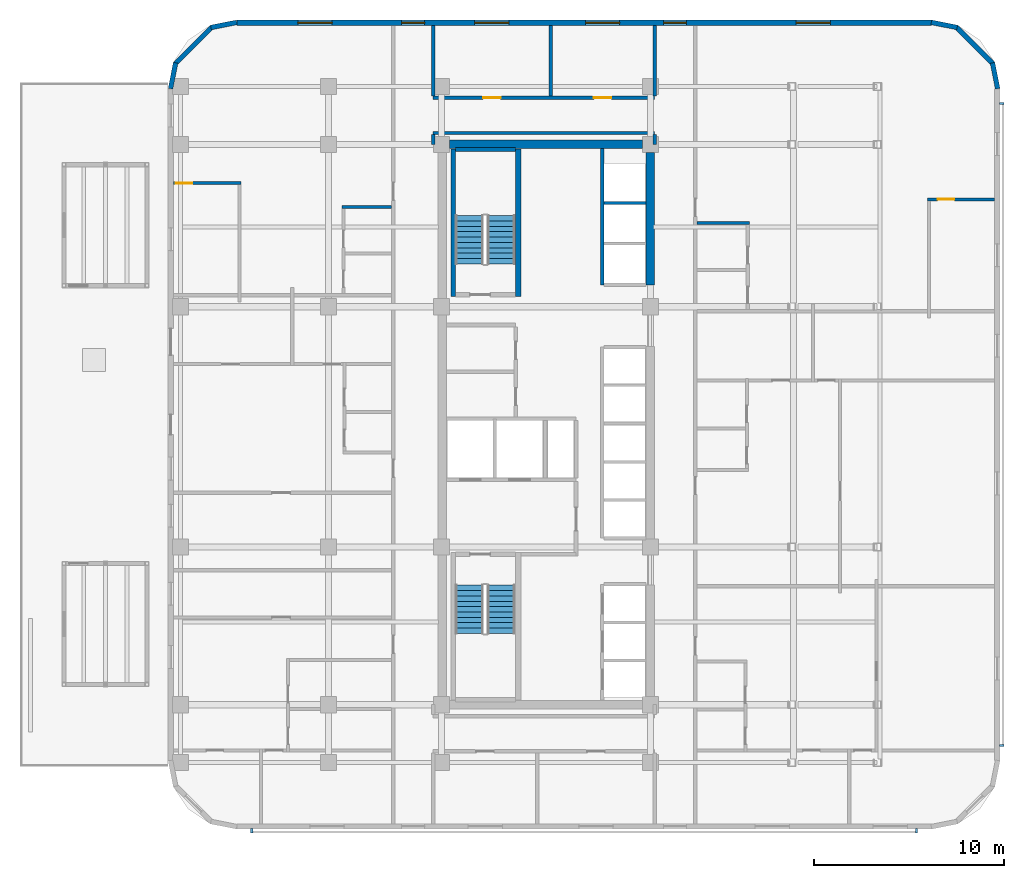
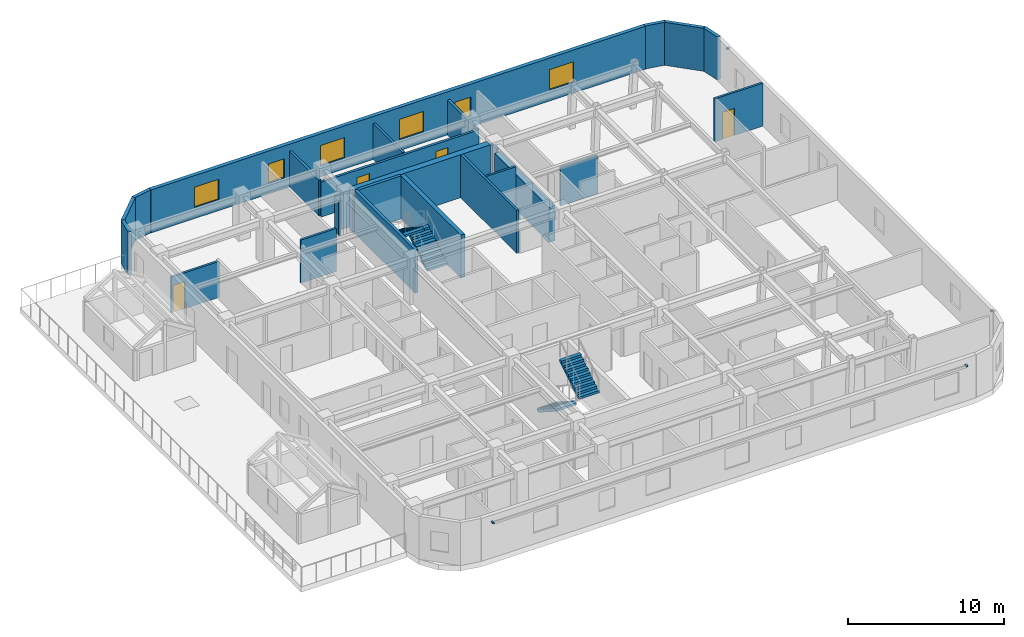
# One storey, part 14 of 19: 25 walls, 6 windows, 4 discrete accessories, 4 doors, 4 stair flights, 10 openings, 2 elements without a shape of their own.
"""IFC4 building model written with IfcOpenShell, lengths in metres."""

import ifcopenshell
import ifcopenshell.guid

model = None  # the IFC model being written
_history = None  # IfcOwnerHistory: only IFC2X3 demands one
_inside = {}  # id of a spatial element -> (the spatial element, [elements in it])
_under = {}  # id of a project, library or spatial element -> (it, [spatial elements below it])
_declared = {}  # id of a project -> (the project, [libraries it declares])
_typed = {}  # id of a type object -> (the type object, [elements of that type])
_made_of = {}  # id of a material, layer set ... -> (it, [elements and type objects made of it])


def new_model(schema):
    """Start an empty IFC model of exactly this schema.

    Asked for "IFC4X3", IfcOpenShell would pick the latest addendum, in which some entities
    have other attributes; the version numbers below select the first issue.
    IFC2X3 requires an IfcOwnerHistory on every rooted entity: one is made here for all.
    """
    global model, _history
    if schema == "IFC4X3":
        model = ifcopenshell.file(schema_version=(4, 3, 0, 0))
    else:
        model = ifcopenshell.file(schema=schema)
    _inside.clear()
    _under.clear()
    _declared.clear()
    _typed.clear()
    _made_of.clear()
    _history = None
    if model.schema == "IFC2X3":
        org = make("IfcOrganization", Name="unknown")
        user = make(
            "IfcPersonAndOrganization",
            ThePerson=make("IfcPerson", FamilyName="unknown"),
            TheOrganization=org,
        )
        app = make(
            "IfcApplication",
            ApplicationDeveloper=org,
            Version="unknown",
            ApplicationFullName="unknown",
            ApplicationIdentifier="unknown",
        )
        _history = make(
            "IfcOwnerHistory",
            OwningUser=user,
            OwningApplication=app,
            ChangeAction="ADDED",
            CreationDate=0,
        )
    return model


def make(cls, **values):
    """One entity of the class cls with the attributes given. An attribute that is None is left unset."""
    return model.create_entity(
        cls, **{name: value for name, value in values.items() if value is not None}
    )


def rooted(cls, **values):
    """An entity with a GlobalId (a new one), such as an element, a storey or a relation."""
    return make(cls, GlobalId=ifcopenshell.guid.new(), OwnerHistory=_history, **values)


def si_unit(unit_type, name, prefix=None):
    """IfcSIUnit, for example si_unit("LENGTHUNIT", "METRE", prefix="MILLI")."""
    return make("IfcSIUnit", UnitType=unit_type, Prefix=prefix, Name=name)


def assignment(units):
    """IfcUnitAssignment: the units of a project."""
    return None if units is None else make("IfcUnitAssignment", Units=units)


def point(xyz):
    """IfcCartesianPoint."""
    return None if xyz is None else make("IfcCartesianPoint", Coordinates=xyz)


def direction(xyz):
    """IfcDirection."""
    return None if xyz is None else make("IfcDirection", DirectionRatios=xyz)


def frame(location, z_axis=None, x_axis=None):
    """IfcAxis2Placement3D, a coordinate frame: its origin and axes. An axis left out is left unset."""
    return make(
        "IfcAxis2Placement3D",
        Location=point(location),
        Axis=direction(z_axis),
        RefDirection=direction(x_axis),
    )


def frame_2d(location, x_axis=None):
    """IfcAxis2Placement2D, a coordinate frame in the plane: its origin and x axis."""
    return make(
        "IfcAxis2Placement2D", Location=point(location), RefDirection=direction(x_axis)
    )


def origin():
    """The frame at (0, 0, 0) with its axes left unset."""
    return frame((0.0, 0.0, 0.0))


def origin_2d():
    """The frame at (0, 0) in the plane with its x axis left unset."""
    return frame_2d((0.0, 0.0))


def place(relative_to, where):
    """IfcLocalPlacement: puts the frame where relative to a parent placement (None: the world)."""
    return make(
        "IfcLocalPlacement", PlacementRelTo=relative_to, RelativePlacement=where
    )


def context(
    kind, dimensions, precision=None, world=None, true_north=None, identifier=None
):
    """IfcGeometricRepresentationContext, for example the 3D "Model" context."""
    return make(
        "IfcGeometricRepresentationContext",
        ContextIdentifier=identifier,
        ContextType=kind,
        CoordinateSpaceDimension=dimensions,
        Precision=precision,
        WorldCoordinateSystem=world,
        TrueNorth=true_north,
    )


def subcontext(parent, identifier, kind, view, scale=None):
    """IfcGeometricRepresentationSubContext, for example "Body" below "Model"."""
    return make(
        "IfcGeometricRepresentationSubContext",
        ContextIdentifier=identifier,
        ContextType=kind,
        ParentContext=parent,
        TargetScale=scale,
        TargetView=view,
    )


def project(units=None, contexts=None):
    """IfcProject with its units and contexts."""
    return rooted(
        "IfcProject",
        Name="project",
        RepresentationContexts=contexts,
        UnitsInContext=assignment(units),
    )


def spatial(cls, under=None, at=None, **own):
    """A site, building, storey or space (cls), placed at a placement, below another one or the project."""
    s = rooted(cls, ObjectPlacement=at, **own)
    if under is not None:
        _under.setdefault(under.id(), (under, []))[1].append(s)
    return s


def polyline(points):
    """IfcPolyline through the points."""
    return make("IfcPolyline", Points=[point(p) for p in points])


def profile(cls, at=None, kind="AREA", **sizes):
    """A parametric profile (cls). Its sizes go by their IFC names, for example OverallWidth=200.0."""
    return make(cls, ProfileType=kind, Position=at, **sizes)


def rectangle(**sizes):
    """IfcRectangleProfileDef."""
    return profile("IfcRectangleProfileDef", **sizes)


def outline(outer, holes=None, kind="AREA"):
    """IfcArbitraryClosedProfileDef: a profile drawn as a closed curve; with holes, ...WithVoids."""
    if holes is None:
        return make("IfcArbitraryClosedProfileDef", ProfileType=kind, OuterCurve=outer)
    return make(
        "IfcArbitraryProfileDefWithVoids",
        ProfileType=kind,
        OuterCurve=outer,
        InnerCurves=holes,
    )


def extrude(swept, where, along, depth):
    """IfcExtrudedAreaSolid: the profile swept, set in the frame where, extruded along a direction by depth."""
    return make(
        "IfcExtrudedAreaSolid",
        SweptArea=swept,
        Position=where,
        ExtrudedDirection=direction(along),
        Depth=depth,
    )


def shape(context_of_items, identifier, shape_type, items):
    """IfcShapeRepresentation: the items that make up one representation, for example the "Body"."""
    return make(
        "IfcShapeRepresentation",
        ContextOfItems=context_of_items,
        RepresentationIdentifier=identifier,
        RepresentationType=shape_type,
        Items=items,
    )


def material(Name=None, Category=None):
    """IfcMaterial."""
    return make("IfcMaterial", Name=Name, Category=Category)


def layer(
    of_material, thickness, ventilated=None, Name=None, Category=None, Priority=None
):
    """IfcMaterialLayer: one layer of a wall or slab, of a material (None: an air gap)."""
    return make(
        "IfcMaterialLayer",
        Material=of_material,
        LayerThickness=thickness,
        IsVentilated=ventilated,
        Name=Name,
        Category=Category,
        Priority=Priority,
    )


def layer_set(layers, Name=None):
    """IfcMaterialLayerSet."""
    return make("IfcMaterialLayerSet", MaterialLayers=layers, LayerSetName=Name)


def made_of(thing, what):
    """Note that an element or type object is made of a material, layer set ...; save() writes the relation."""
    if what is not None:
        _made_of.setdefault(what.id(), (what, []))[1].append(thing)
    return thing


def type_object(cls, material=None, **own):
    """A type object (cls), such as IfcWallType, which elements share."""
    return made_of(rooted(cls, **own), material)


def element(
    cls,
    number,
    at=None,
    inside=None,
    cuts=None,
    type_object=None,
    material=None,
    context=None,
    identifier="Body",
    shape_type=None,
    held_by="IfcProductDefinitionShape",
    body=None,
    shapes=None,
    **own,
):
    """One element of the class cls, such as IfcWall. Its Tag is "e" and its number.

    at: its placement. inside: the storey or other place that contains it. cuts: it is an
    opening in that element (IfcRelVoidsElement). A single representation is given by context,
    identifier, shape_type and body (its items); several are given by shapes. held_by: the class
    of the entity that holds the representations. save() writes the other relations.
    """
    e = rooted(cls, Tag="e%d" % number, ObjectPlacement=at, **own)
    if body is not None:
        shapes = [shape(context, identifier, shape_type, body)]
    if shapes is not None:
        e.Representation = make(held_by, Representations=shapes)
    if inside is not None:
        _inside.setdefault(inside.id(), (inside, []))[1].append(e)
    if cuts is not None:
        rooted(
            "IfcRelVoidsElement", RelatingBuildingElement=cuts, RelatedOpeningElement=e
        )
    if type_object is not None:
        _typed.setdefault(type_object.id(), (type_object, []))[1].append(e)
    return made_of(e, material)


def fill(opening, filler):
    """IfcRelFillsElement: the door or window that sits in an opening."""
    return rooted(
        "IfcRelFillsElement",
        RelatingOpeningElement=opening,
        RelatedBuildingElement=filler,
    )


def aggregate(whole, parts):
    """IfcRelAggregates: a whole, such as a stair, and the parts it consists of."""
    return rooted("IfcRelAggregates", RelatingObject=whole, RelatedObjects=parts)


def save(model, path):
    """Write the relations noted so far, then the file.

    IfcRelAggregates (storeys below a building ...), IfcRelContainedInSpatialStructure (elements
    in a storey), IfcRelDefinesByType, IfcRelAssociatesMaterial and IfcRelDeclares: one each for
    every whole, place, type object, material and project.
    """
    for whole, parts in _under.values():
        aggregate(whole, parts)
    for where, things in _inside.values():
        rooted(
            "IfcRelContainedInSpatialStructure",
            RelatedElements=things,
            RelatingStructure=where,
        )
    for kind, things in _typed.values():
        rooted("IfcRelDefinesByType", RelatedObjects=things, RelatingType=kind)
    for what, things in _made_of.values():
        rooted("IfcRelAssociatesMaterial", RelatedObjects=things, RelatingMaterial=what)
    for by, libraries in _declared.values():
        rooted("IfcRelDeclares", RelatingContext=by, RelatedDefinitions=libraries)
    model.write(path)


model = new_model("IFC4")

# Units and contexts
model_context = context("Model", 3, precision=1e-05, world=origin(), true_north=direction((0.0, 1.0)))
body_context = subcontext(model_context, "Body", "Model", "MODEL_VIEW")
ifc_project = project(units=[si_unit("LENGTHUNIT", "METRE"), si_unit("AREAUNIT", "SQUARE_METRE"), si_unit("VOLUMEUNIT", "CUBIC_METRE"), si_unit("PLANEANGLEUNIT", "RADIAN"), si_unit("MASSUNIT", "GRAM", prefix="KILO")], contexts=[model_context])

# Site, building, storey
site_placement = place(None, origin())
site = spatial("IfcSite", under=ifc_project, at=site_placement, CompositionType="ELEMENT")
building_placement = place(site_placement, origin())
building = spatial("IfcBuilding", under=site, at=building_placement, Name="Ochreholt Gables", CompositionType="ELEMENT")
storey_placement = place(building_placement, frame((0.0, 0.0, 76.800048828125)))
storey = spatial("IfcBuildingStorey", under=building, at=storey_placement, Name="L19", CompositionType="ELEMENT", Elevation=76.800048828125)

# Walls
ifc_material_1 = material(Name="Concrete 60 MPa", Category="concrete")
ifc_layer_1 = layer(ifc_material_1, 0.449951171875, Name="Concrete 60 MPa")
ifc_layer_set_1 = layer_set([ifc_layer_1], Name="Concrete 60 MPa")
wall_type_1 = type_object("IfcWallType", Name="WALL-CSW-450", PredefinedType="SHEAR", material=ifc_layer_set_1)
wall_1_placement = place(storey_placement, frame((35.175048828125, 31.35009765625, 0.0), z_axis=(0.0, 0.0, 1.0), x_axis=(0.0, 1.0, 0.0)))
element("IfcWall", 1, at=wall_1_placement, inside=storey, type_object=wall_type_1, Name="L19 Core North-East Shear Wall", PredefinedType="SHEAR", context=body_context, shape_type="SweptSolid", body=[
    extrude(rectangle(XDim=6.974853515625, YDim=0.449951171875, at=frame_2d((3.4873046875, 0.0))), origin(), (0.0, 0.0, 1.0), 2.7490234375),
])
wall_2_placement = place(storey_placement, frame((24.625, 38.75, 0.0), z_axis=(0.0, 0.0, 1.0), x_axis=(1.0, 0.0, 0.0)))
element("IfcWall", 2, at=wall_2_placement, inside=storey, type_object=wall_type_1, Name="L19 Core North Shear Wall", PredefinedType="SHEAR", context=body_context, shape_type="SweptSolid", body=[
    extrude(rectangle(XDim=10.14990234375, YDim=0.449951171875, at=frame_2d((5.074951171875, 0.0))), origin(), (0.0, 0.0, 1.0), 3.35986328125),
])

# Wall, openings, windows
ifc_material_2 = material(Name="Precast concrete 40 MPa", Category="concrete")
ifc_layer_2 = layer(ifc_material_2, 0.280029296875, Name="Precast concrete 40 MPa")
ifc_layer_set_2 = layer_set([ifc_layer_2], Name="Precast concrete 40 MPa")
wall_type_2 = type_object("IfcWallType", Name="WALL-EXT-280", PredefinedType="SOLIDWALL", material=ifc_layer_set_2)
wall_3_placement = place(storey_placement, frame((49.97998046875, 45.159912109375, 0.0), z_axis=(0.0, 0.0, 1.0), x_axis=(-1.0, 0.0, 0.0)))
wall_3 = element("IfcWall", 3, at=wall_3_placement, inside=storey, type_object=wall_type_2, Name="L19 North Exterior Wall", PredefinedType="SOLIDWALL", context=body_context, shape_type="SweptSolid", body=[
    extrude(rectangle(XDim=36.56005859375, YDim=0.280029296875, at=frame_2d((18.280029296875, 0.0))), origin(), (0.0, 0.0, 1.0), 3.35986328125),
])
opening_1_placement = place(wall_3_placement, frame((31.544921875, 0.0, 0.85009765625)))
opening_1 = element("IfcOpeningElement", 4, at=opening_1_placement, cuts=wall_3, Name="Opening WN-1", PredefinedType="OPENING", context=body_context, shape_type="SweptSolid", body=[
    extrude(rectangle(XDim=1.800048828125, YDim=1.60009765625, at=frame_2d((0.89990234375, 0.800048828125))), frame((0.0, 0.14990234375, 0.0), z_axis=(0.0, -1.0, 0.0), x_axis=(1.0, 0.0, 0.0)), (0.0, 0.0, 1.0), 0.300048828125),
])
opening_2_placement = place(wall_3_placement, frame((26.679931640625, 0.0, 0.85009765625)))
opening_2 = element("IfcOpeningElement", 5, at=opening_2_placement, cuts=wall_3, Name="Opening WN-3", PredefinedType="OPENING", context=body_context, shape_type="SweptSolid", body=[
    extrude(rectangle(XDim=1.199951171875, YDim=1.5, at=frame_2d((0.60009765625, 0.75))), frame((0.0, 0.14990234375, 0.0), z_axis=(0.0, -1.0, 0.0), x_axis=(1.0, 0.0, 0.0)), (0.0, 0.0, 1.0), 0.300048828125),
])
opening_3_placement = place(wall_3_placement, frame((22.2373046875, 0.0, 0.85009765625)))
opening_3 = element("IfcOpeningElement", 6, at=opening_3_placement, cuts=wall_3, Name="Opening WN-1", PredefinedType="OPENING", context=body_context, shape_type="SweptSolid", body=[
    extrude(rectangle(XDim=1.800048828125, YDim=1.60009765625, at=frame_2d((0.89990234375, 0.800048828125))), frame((0.0, 0.14990234375, 0.0), z_axis=(0.0, -1.0, 0.0), x_axis=(1.0, 0.0, 0.0)), (0.0, 0.0, 1.0), 0.300048828125),
])
opening_4_placement = place(wall_3_placement, frame((16.40234375, 0.0, 0.85009765625)))
opening_4 = element("IfcOpeningElement", 7, at=opening_4_placement, cuts=wall_3, Name="Opening WN-1", PredefinedType="OPENING", context=body_context, shape_type="SweptSolid", body=[
    extrude(rectangle(XDim=1.800048828125, YDim=1.60009765625, at=frame_2d((0.89990234375, 0.800048828125))), frame((0.0, 0.14990234375, 0.0), z_axis=(0.0, -1.0, 0.0), x_axis=(1.0, 0.0, 0.0)), (0.0, 0.0, 1.0), 0.300048828125),
])
opening_5_placement = place(wall_3_placement, frame((12.89501953125, 0.0, 0.85009765625)))
opening_5 = element("IfcOpeningElement", 8, at=opening_5_placement, cuts=wall_3, Name="Opening WN-3", PredefinedType="OPENING", context=body_context, shape_type="SweptSolid", body=[
    extrude(rectangle(XDim=1.199951171875, YDim=1.5, at=frame_2d((0.60009765625, 0.75))), frame((0.0, 0.14990234375, 0.0), z_axis=(0.0, -1.0, 0.0), x_axis=(1.0, 0.0, 0.0)), (0.0, 0.0, 1.0), 0.300048828125),
])
opening_6_placement = place(wall_3_placement, frame((5.31494140625, 0.0, 0.85009765625)))
opening_6 = element("IfcOpeningElement", 9, at=opening_6_placement, cuts=wall_3, Name="Opening WN-1", PredefinedType="OPENING", context=body_context, shape_type="SweptSolid", body=[
    extrude(rectangle(XDim=1.800048828125, YDim=1.60009765625, at=frame_2d((0.89990234375, 0.800048828125))), frame((0.0, 0.14990234375, 0.0), z_axis=(0.0, -1.0, 0.0), x_axis=(1.0, 0.0, 0.0)), (0.0, 0.0, 1.0), 0.300048828125),
])
ifc_material_3 = material(Name="Triple-Glazed Thermally Broken Aluminium Window", Category="aluminium")
window_type_1 = type_object("IfcWindowType", Name="WIN-RES-1200", PartitioningType="SINGLE_PANEL", PredefinedType="WINDOW", material=ifc_material_3)
window_1_placement = place(opening_2_placement, origin())
window_1 = element("IfcWindow", 10, at=window_1_placement, inside=storey, type_object=window_type_1, Name="L19 Window W-EXT-N-L19-2", OverallHeight=1.5, OverallWidth=1.199951171875, PartitioningType="SINGLE_PANEL", PredefinedType="WINDOW", context=body_context, shape_type="SweptSolid", body=[
    extrude(rectangle(XDim=1.199951171875, YDim=1.5, at=frame_2d((0.60009765625, 0.75))), frame((0.0, 0.030029296875, 0.0), z_axis=(0.0, -1.0, 0.0), x_axis=(1.0, 0.0, 0.0)), (0.0, 0.0, 1.0), 0.06005859375),
])
fill(opening_2, window_1)
window_2_placement = place(opening_5_placement, origin())
window_2 = element("IfcWindow", 11, at=window_2_placement, inside=storey, type_object=window_type_1, Name="L19 Window W-EXT-N-L19-5", OverallHeight=1.5, OverallWidth=1.199951171875, PartitioningType="SINGLE_PANEL", PredefinedType="WINDOW", context=body_context, shape_type="SweptSolid", body=[
    extrude(rectangle(XDim=1.199951171875, YDim=1.5, at=frame_2d((0.60009765625, 0.75))), frame((0.0, 0.030029296875, 0.0), z_axis=(0.0, -1.0, 0.0), x_axis=(1.0, 0.0, 0.0)), (0.0, 0.0, 1.0), 0.06005859375),
])
fill(opening_5, window_2)
window_type_2 = type_object("IfcWindowType", Name="WIN-RES-1800", PartitioningType="SINGLE_PANEL", PredefinedType="WINDOW", material=ifc_material_3)
window_3_placement = place(opening_1_placement, origin())
window_3 = element("IfcWindow", 12, at=window_3_placement, inside=storey, type_object=window_type_2, Name="L19 Window W-EXT-N-L19-1", OverallHeight=1.60009765625, OverallWidth=1.800048828125, PartitioningType="SINGLE_PANEL", PredefinedType="WINDOW", context=body_context, shape_type="SweptSolid", body=[
    extrude(rectangle(XDim=1.800048828125, YDim=1.60009765625, at=frame_2d((0.89990234375, 0.800048828125))), frame((0.0, 0.030029296875, 0.0), z_axis=(0.0, -1.0, 0.0), x_axis=(1.0, 0.0, 0.0)), (0.0, 0.0, 1.0), 0.06005859375),
])
fill(opening_1, window_3)
window_4_placement = place(opening_3_placement, origin())
window_4 = element("IfcWindow", 13, at=window_4_placement, inside=storey, type_object=window_type_2, Name="L19 Window W-EXT-N-L19-3", OverallHeight=1.60009765625, OverallWidth=1.800048828125, PartitioningType="SINGLE_PANEL", PredefinedType="WINDOW", context=body_context, shape_type="SweptSolid", body=[
    extrude(rectangle(XDim=1.800048828125, YDim=1.60009765625, at=frame_2d((0.89990234375, 0.800048828125))), frame((0.0, 0.030029296875, 0.0), z_axis=(0.0, -1.0, 0.0), x_axis=(1.0, 0.0, 0.0)), (0.0, 0.0, 1.0), 0.06005859375),
])
fill(opening_3, window_4)
window_5_placement = place(opening_4_placement, origin())
window_5 = element("IfcWindow", 14, at=window_5_placement, inside=storey, type_object=window_type_2, Name="L19 Window W-EXT-N-L19-4", OverallHeight=1.60009765625, OverallWidth=1.800048828125, PartitioningType="SINGLE_PANEL", PredefinedType="WINDOW", context=body_context, shape_type="SweptSolid", body=[
    extrude(rectangle(XDim=1.800048828125, YDim=1.60009765625, at=frame_2d((0.89990234375, 0.800048828125))), frame((0.0, 0.030029296875, 0.0), z_axis=(0.0, -1.0, 0.0), x_axis=(1.0, 0.0, 0.0)), (0.0, 0.0, 1.0), 0.06005859375),
])
fill(opening_4, window_5)
window_6_placement = place(opening_6_placement, origin())
window_6 = element("IfcWindow", 15, at=window_6_placement, inside=storey, type_object=window_type_2, Name="L19 Window W-EXT-N-L19-6", OverallHeight=1.60009765625, OverallWidth=1.800048828125, PartitioningType="SINGLE_PANEL", PredefinedType="WINDOW", context=body_context, shape_type="SweptSolid", body=[
    extrude(rectangle(XDim=1.800048828125, YDim=1.60009765625, at=frame_2d((0.89990234375, 0.800048828125))), frame((0.0, 0.030029296875, 0.0), z_axis=(0.0, -1.0, 0.0), x_axis=(1.0, 0.0, 0.0)), (0.0, 0.0, 1.0), 0.06005859375),
])
fill(opening_6, window_6)

# Walls
ifc_layer_3 = layer(ifc_material_2, 0.25, Name="Precast concrete 40 MPa")
ifc_layer_set_3 = layer_set([ifc_layer_3], Name="Precast concrete 40 MPa")
wall_type_3 = type_object("IfcWallType", Name="WALL-EXT-CNR", PredefinedType="SOLIDWALL", material=ifc_layer_set_3)
wall_4_placement = place(storey_placement, frame((53.475830078125, 41.68359375, 0.0), z_axis=(0.0, 0.0, 1.0), x_axis=(-0.195000137217, 0.980803214965, 0.0)))
element("IfcWall", 16, at=wall_4_placement, inside=storey, type_object=wall_type_3, Name="L19 Rounded Corner Wall NE-1", PredefinedType="SOLIDWALL", context=body_context, shape_type="SweptSolid", body=[
    extrude(rectangle(XDim=1.388427734375, YDim=0.25, at=frame_2d((0.6943359375, 0.0))), origin(), (0.0, 0.0, 1.0), 3.35986328125),
])
wall_5_placement = place(storey_placement, frame((53.23193359375, 42.9951171875, 0.0), z_axis=(0.0, 0.0, 1.0), x_axis=(-0.707151344399, 0.707062215165, 0.0)))
element("IfcWall", 17, at=wall_5_placement, inside=storey, type_object=wall_type_3, Name="L19 Rounded Corner Wall NE-2", PredefinedType="SOLIDWALL", context=body_context, shape_type="SweptSolid", body=[
    extrude(rectangle(XDim=2.7392578125, YDim=0.25, at=frame_2d((1.36962890625, 0.0))), origin(), (0.0, 0.0, 1.0), 3.35986328125),
])
for number, where, z_axis, x_axis, name in (
    (18, (51.345458984375, 44.905029296875, 0.0), (0.0, 0.0, 1.0), (-0.980809899341, 0.19496651342, 0.0), "L19 Rounded Corner Wall NE-3"),
    (19, (13.41650390625, 45.17578125, 0.0), (0.0, 0.0, 1.0), (-0.980809899341, -0.19496651342, 0.0), "L19 Rounded Corner Wall NW-1"),
):
    element("IfcWall", number, at=place(storey_placement, frame(where, z_axis=z_axis, x_axis=x_axis)), inside=storey, type_object=wall_type_3, Name=name, PredefinedType="SOLIDWALL", context=body_context, shape_type="SweptSolid", body=[
        extrude(rectangle(XDim=1.388671875, YDim=0.25, at=frame_2d((0.6943359375, 0.0))), origin(), (0.0, 0.0, 1.0), 3.35986328125),
    ])
wall_6_placement = place(storey_placement, frame((12.10498046875, 44.931884765625, 0.0), z_axis=(0.0, 0.0, 1.0), x_axis=(-0.707151344399, -0.707062215165, 0.0)))
element("IfcWall", 20, at=wall_6_placement, inside=storey, type_object=wall_type_3, Name="L19 Rounded Corner Wall NW-2", PredefinedType="SOLIDWALL", context=body_context, shape_type="SweptSolid", body=[
    extrude(rectangle(XDim=2.7392578125, YDim=0.25, at=frame_2d((1.36962890625, 0.0))), origin(), (0.0, 0.0, 1.0), 3.35986328125),
])
wall_7_placement = place(storey_placement, frame((10.195068359375, 43.04541015625, 0.0), z_axis=(0.0, 0.0, 1.0), x_axis=(-0.195000137217, -0.980803214965, 0.0)))
element("IfcWall", 21, at=wall_7_placement, inside=storey, type_object=wall_type_3, Name="L19 Rounded Corner Wall NW-3", PredefinedType="SOLIDWALL", context=body_context, shape_type="SweptSolid", body=[
    extrude(rectangle(XDim=1.388427734375, YDim=0.25, at=frame_2d((0.6943359375, 0.0))), origin(), (0.0, 0.0, 1.0), 3.35986328125),
])

# Wall, openings, doors
ifc_material_4 = material(Name="Fire-Rated Gypsum Acoustic Partition", Category="gypsum")
ifc_layer_4 = layer(ifc_material_4, 0.179931640625, Name="Fire-Rated Gypsum Acoustic Partition")
ifc_layer_set_4 = layer_set([ifc_layer_4], Name="Fire-Rated Gypsum Acoustic Partition")
wall_type_4 = type_object("IfcWallType", Name="WALL-INT-CR180", PredefinedType="STANDARD", material=ifc_layer_set_4)
wall_8_placement = place(storey_placement, frame((23.75, 41.199951171875, 0.0), z_axis=(0.0, 0.0, 1.0), x_axis=(1.0, 0.0, 0.0)))
wall_8 = element("IfcWall", 22, at=wall_8_placement, inside=storey, type_object=wall_type_4, Name="L19 Interior Wall WI-C1N-L19", PredefinedType="STANDARD", context=body_context, shape_type="SweptSolid", body=[
    extrude(rectangle(XDim=11.669921875, YDim=0.179931640625, at=frame_2d((5.8349609375, 0.0))), origin(), (0.0, 0.0, 1.0), 2.73095703125),
])
opening_7_placement = place(wall_8_placement, frame((2.632568359375, 0.0, 0.0)))
opening_7 = element("IfcOpeningElement", 23, at=opening_7_placement, cuts=wall_8, Name="Opening D-UN1", PredefinedType="OPENING", context=body_context, shape_type="SweptSolid", body=[
    extrude(rectangle(XDim=0.919921875, YDim=2.14990234375, at=frame_2d((0.4599609375, 1.074951171875))), frame((0.0, 0.099853515625, 0.0), z_axis=(0.0, -1.0, 0.0), x_axis=(1.0, 0.0, 0.0)), (0.0, 0.0, 1.0), 0.199951171875),
])
opening_8_placement = place(wall_8_placement, frame((8.467529296875, 0.0, 0.0)))
opening_8 = element("IfcOpeningElement", 24, at=opening_8_placement, cuts=wall_8, Name="Opening D-UN1", PredefinedType="OPENING", context=body_context, shape_type="SweptSolid", body=[
    extrude(rectangle(XDim=0.919921875, YDim=2.14990234375, at=frame_2d((0.4599609375, 1.074951171875))), frame((0.0, 0.099853515625, 0.0), z_axis=(0.0, -1.0, 0.0), x_axis=(1.0, 0.0, 0.0)), (0.0, 0.0, 1.0), 0.199951171875),
])
ifc_material_5 = material(Name="Engineered Oak Timber", Category="wood")
door_type_1 = type_object("IfcDoorType", Name="DR-INT-UNT920", OperationType="NOTDEFINED", PredefinedType="DOOR", material=ifc_material_5)
door_1_placement = place(opening_7_placement, origin())
door_1 = element("IfcDoor", 25, at=door_1_placement, inside=storey, type_object=door_type_1, Name="L19 Door D-U-L19N1-ENT", OperationType="SINGLE_SWING_LEFT", OverallHeight=2.14990234375, OverallWidth=0.919921875, PredefinedType="DOOR", context=body_context, shape_type="SweptSolid", body=[
    extrude(rectangle(XDim=0.919921875, YDim=2.14990234375, at=frame_2d((0.4599609375, 1.074951171875))), frame((0.0, 0.02490234375, 0.0), z_axis=(0.0, -1.0, 0.0), x_axis=(1.0, 0.0, 0.0)), (0.0, 0.0, 1.0), 0.050048828125),
])
fill(opening_7, door_1)
door_2_placement = place(opening_8_placement, origin())
door_2 = element("IfcDoor", 26, at=door_2_placement, inside=storey, type_object=door_type_1, Name="L19 Door D-U-L19N2-ENT", OperationType="SINGLE_SWING_LEFT", OverallHeight=2.14990234375, OverallWidth=0.919921875, PredefinedType="DOOR", context=body_context, shape_type="SweptSolid", body=[
    extrude(rectangle(XDim=0.919921875, YDim=2.14990234375, at=frame_2d((0.4599609375, 1.074951171875))), frame((0.0, 0.02490234375, 0.0), z_axis=(0.0, -1.0, 0.0), x_axis=(1.0, 0.0, 0.0)), (0.0, 0.0, 1.0), 0.050048828125),
])
fill(opening_8, door_2)

# Walls
wall_9_placement = place(storey_placement, frame((23.75, 39.35009765625, 0.0), z_axis=(0.0, 0.0, 1.0), x_axis=(1.0, 0.0, 0.0)))
element("IfcWall", 27, at=wall_9_placement, inside=storey, type_object=wall_type_4, Name="L19 Interior Wall WI-C1N2-L19", PredefinedType="STANDARD", context=body_context, shape_type="SweptSolid", body=[
    extrude(rectangle(XDim=11.669921875, YDim=0.179931640625, at=frame_2d((5.8349609375, 0.0))), origin(), (0.0, 0.0, 1.0), 2.73095703125),
])
for number, where, z_axis, x_axis, name in (
    (28, (35.419921875, 38.75, 0.0), (0.0, 0.0, 1.0), (0.0, 1.0, 0.0), "L19 Interior Wall WI-C1ENW2-L19"),
    (29, (23.75, 38.75, 0.0), (0.0, 0.0, 1.0), (0.0, 1.0, 0.0), "L19 Interior Wall WI-C1NWA2-L19"),
):
    element("IfcWall", number, at=place(storey_placement, frame(where, z_axis=z_axis, x_axis=x_axis)), inside=storey, type_object=wall_type_4, Name=name, PredefinedType="STANDARD", context=body_context, shape_type="SweptSolid", body=[
        extrude(rectangle(XDim=0.510009765625, YDim=0.179931640625, at=frame_2d((0.2548828125, 0.0))), origin(), (0.0, 0.0, 1.0), 2.73095703125),
    ])
ifc_material_6 = material(Name="Double-Stud Acoustic Demising Wall", Category="gypsum")
ifc_layer_5 = layer(ifc_material_6, 0.179931640625, Name="Double-Stud Acoustic Demising Wall")
ifc_layer_set_5 = layer_set([ifc_layer_5], Name="Double-Stud Acoustic Demising Wall")
wall_type_5 = type_object("IfcWallType", Name="WALL-INT-DM180", PredefinedType="PARTITIONING", material=ifc_layer_set_5)
wall_10_placement = place(storey_placement, frame((35.419921875, 41.2900390625, 0.0), z_axis=(0.0, 0.0, 1.0), x_axis=(0.0, 1.0, 0.0)))
element("IfcWall", 30, at=wall_10_placement, inside=storey, type_object=wall_type_5, Name="L19 Interior Wall WI-C1ENW-L19", PredefinedType="PARTITIONING", context=body_context, shape_type="SweptSolid", body=[
    extrude(rectangle(XDim=3.72998046875, YDim=0.179931640625, at=frame_2d((1.864990234375, 0.0))), origin(), (0.0, 0.0, 1.0), 2.73095703125),
])
for number, where, z_axis, x_axis, name in (
    (31, (23.75, 41.2900390625, 0.0), (0.0, 0.0, 1.0), (0.0, 1.0, 0.0), "L19 Interior Wall WI-C1NWA-L19"),
    (32, (29.93505859375, 41.2900390625, 0.0), (0.0, 0.0, 1.0), (0.0, 1.0, 0.0), "L19 Interior Wall WI-UDN-L19"),
):
    element("IfcWall", number, at=place(storey_placement, frame(where, z_axis=z_axis, x_axis=x_axis)), inside=storey, type_object=wall_type_5, Name=name, PredefinedType="PARTITIONING", context=body_context, shape_type="SweptSolid", body=[
        extrude(rectangle(XDim=3.72998046875, YDim=0.179931640625, at=frame_2d((1.864990234375, 0.0))), origin(), (0.0, 0.0, 1.0), 2.808837890625),
    ])
ifc_material_7 = material(Name="Moisture-Resistant Plumbing Chase Wall", Category="gypsum")
ifc_layer_6 = layer(ifc_material_7, 0.159912109375, Name="Moisture-Resistant Plumbing Chase Wall")
ifc_layer_set_6 = layer_set([ifc_layer_6], Name="Moisture-Resistant Plumbing Chase Wall")
wall_type_6 = type_object("IfcWallType", Name="WALL-INT-PL160", PredefinedType="PLUMBINGWALL", material=ifc_layer_set_6)
wall_11_placement = place(storey_placement, frame((37.639892578125, 34.60400390625, 0.0), z_axis=(0.0, 0.0, 1.0), x_axis=(1.0, 0.0, 0.0)))
element("IfcWall", 33, at=wall_11_placement, inside=storey, type_object=wall_type_6, Name="L19 Interior Wall WU-L19E3-WYN", PredefinedType="PLUMBINGWALL", context=body_context, shape_type="SweptSolid", body=[
    extrude(rectangle(XDim=2.758056640625, YDim=0.159912109375, at=frame_2d((1.37890625, 0.0))), origin(), (0.0, 0.0, 1.0), 2.988037109375),
])
wall_12_placement = place(storey_placement, frame((18.9541015625, 35.4560546875, 0.0), z_axis=(0.0, 0.0, 1.0), x_axis=(1.0, 0.0, 0.0)))
element("IfcWall", 34, at=wall_12_placement, inside=storey, type_object=wall_type_6, Name="L19 Interior Wall WU-L19W3-WYN", PredefinedType="PLUMBINGWALL", context=body_context, shape_type="SweptSolid", body=[
    extrude(rectangle(XDim=2.60595703125, YDim=0.159912109375, at=frame_2d((1.302978515625, 0.0))), origin(), (0.0, 0.0, 1.0), 3.35986328125),
])

# Wall, opening, door
ifc_material_8 = material(Name="Gypsum Acoustic Stud Partition", Category="gypsum")
ifc_layer_7 = layer(ifc_material_8, 0.159912109375, Name="Gypsum Acoustic Stud Partition")
ifc_layer_set_7 = layer_set([ifc_layer_7], Name="Gypsum Acoustic Stud Partition")
wall_type_7 = type_object("IfcWallType", Name="WALL-INT-PT160", PredefinedType="PARTITIONING", material=ifc_layer_set_7)
wall_13_placement = place(storey_placement, frame((49.77001953125, 35.85400390625, 0.0), z_axis=(0.0, 0.0, 1.0), x_axis=(1.0, 0.0, 0.0)))
wall_13 = element("IfcWall", 35, at=wall_13_placement, inside=storey, type_object=wall_type_7, Name="L19 Interior Wall WU-L19E3-STN", PredefinedType="PARTITIONING", context=body_context, shape_type="SweptSolid", body=[
    extrude(rectangle(XDim=3.550048828125, YDim=0.159912109375, at=frame_2d((1.77490234375, 0.0))), origin(), (0.0, 0.0, 1.0), 3.35986328125),
])
opening_9_placement = place(wall_13_placement, frame((0.550048828125, 0.0, 0.0)))
opening_9 = element("IfcOpeningElement", 36, at=opening_9_placement, cuts=wall_13, Name="Opening D-GN2", PredefinedType="OPENING", context=body_context, shape_type="SweptSolid", body=[
    extrude(rectangle(XDim=0.8798828125, YDim=2.1201171875, at=frame_2d((0.43994140625, 1.06005859375))), frame((0.0, 0.08984375, 0.0), z_axis=(0.0, -1.0, 0.0), x_axis=(1.0, 0.0, 0.0)), (0.0, 0.0, 1.0), 0.179931640625),
])
door_type_2 = type_object("IfcDoorType", Name="DR-INT-GEN880", OperationType="NOTDEFINED", PredefinedType="DOOR", material=ifc_material_5)
door_3_placement = place(opening_9_placement, origin())
door_3 = element("IfcDoor", 37, at=door_3_placement, inside=storey, type_object=door_type_2, Name="L19 Door D-U-L19E3-STD", OperationType="SINGLE_SWING_LEFT", OverallHeight=2.1201171875, OverallWidth=0.8798828125, PredefinedType="DOOR", context=body_context, shape_type="SweptSolid", body=[
    extrude(rectangle(XDim=0.8798828125, YDim=2.1201171875, at=frame_2d((0.43994140625, 1.06005859375))), frame((0.0, 0.02490234375, 0.0), z_axis=(0.0, -1.0, 0.0), x_axis=(1.0, 0.0, 0.0)), (0.0, 0.0, 1.0), 0.050048828125),
])
fill(opening_9, door_3)

wall_14_placement = place(storey_placement, frame((10.080078125, 36.7060546875, 0.0), z_axis=(0.0, 0.0, 1.0), x_axis=(1.0, 0.0, 0.0)))
wall_14 = element("IfcWall", 38, at=wall_14_placement, inside=storey, type_object=wall_type_7, Name="L19 Interior Wall WU-L19W3-STN", PredefinedType="PARTITIONING", context=body_context, shape_type="SweptSolid", body=[
    extrude(rectangle(XDim=3.5498046875, YDim=0.159912109375, at=frame_2d((1.77490234375, 0.0))), origin(), (0.0, 0.0, 1.0), 2.808837890625),
])
opening_10_placement = place(wall_14_placement, frame((0.1201171875, 0.0, 0.0)))
opening_10 = element("IfcOpeningElement", 39, at=opening_10_placement, cuts=wall_14, Name="Opening D-GN2", PredefinedType="OPENING", context=body_context, shape_type="SweptSolid", body=[
    extrude(rectangle(XDim=0.8798828125, YDim=2.1201171875, at=frame_2d((0.43994140625, 1.06005859375))), frame((0.0, 0.08984375, 0.0), z_axis=(0.0, -1.0, 0.0), x_axis=(1.0, 0.0, 0.0)), (0.0, 0.0, 1.0), 0.179931640625),
])
door_4_placement = place(opening_10_placement, origin())
door_4 = element("IfcDoor", 40, at=door_4_placement, inside=storey, type_object=door_type_2, Name="L19 Door D-U-L19W3-STD", OperationType="SINGLE_SWING_RIGHT", OverallHeight=2.1201171875, OverallWidth=0.8798828125, PredefinedType="DOOR", context=body_context, shape_type="SweptSolid", body=[
    extrude(rectangle(XDim=0.8798828125, YDim=2.1201171875, at=frame_2d((0.43994140625, 1.06005859375))), frame((0.0, 0.02490234375, 0.0), z_axis=(0.0, -1.0, 0.0), x_axis=(1.0, 0.0, 0.0)), (0.0, 0.0, 1.0), 0.050048828125),
])
fill(opening_10, door_4)

# Walls
ifc_material_9 = material(Name="Gypsum Shaftliner and Steel Stud", Category="steel")
ifc_layer_8 = layer(ifc_material_9, 0.14990234375, Name="Gypsum Shaftliner and Steel Stud")
ifc_layer_set_8 = layer_set([ifc_layer_8], Name="Gypsum Shaftliner and Steel Stud")
wall_type_8 = type_object("IfcWallType", Name="WALL-INT-SH150", PredefinedType="STANDARD", material=ifc_layer_set_8)
wall_15_placement = place(storey_placement, frame((32.739990234375, 35.669921875, 0.0), z_axis=(0.0, 0.0, 1.0), x_axis=(1.0, 0.0, 0.0)))
element("IfcWall", 41, at=wall_15_placement, inside=storey, type_object=wall_type_8, Name="L19 Interior Wall WI-LFM-D2-L19", PredefinedType="STANDARD", context=body_context, shape_type="SweptSolid", body=[
    extrude(rectangle(XDim=2.2099609375, YDim=0.14990234375, at=frame_2d((1.10498046875, 0.0))), origin(), (0.0, 0.0, 1.0), 3.35986328125),
])
ifc_layer_9 = layer(ifc_material_9, 0.179931640625, Name="Gypsum Shaftliner and Steel Stud")
ifc_layer_set_9 = layer_set([ifc_layer_9], Name="Gypsum Shaftliner and Steel Stud")
wall_type_9 = type_object("IfcWallType", Name="WALL-INT-SH180", PredefinedType="STANDARD", material=ifc_layer_set_9)
wall_16_placement = place(storey_placement, frame((32.64990234375, 31.35009765625, 0.0), z_axis=(0.0, 0.0, 1.0), x_axis=(0.0, 1.0, 0.0)))
element("IfcWall", 42, at=wall_16_placement, inside=storey, type_object=wall_type_9, Name="L19 Interior Wall WI-LFM-FR-L19", PredefinedType="STANDARD", context=body_context, shape_type="SweptSolid", body=[
    extrude(rectangle(XDim=7.1748046875, YDim=0.179931640625, at=frame_2d((3.58740234375, 0.0))), origin(), (0.0, 0.0, 1.0), 3.35986328125),
])
ifc_layer_10 = layer(ifc_material_1, 0.300048828125, Name="Concrete 60 MPa")
ifc_layer_set_10 = layer_set([ifc_layer_10], Name="Concrete 60 MPa")
wall_type_10 = type_object("IfcWallType", Name="WALL-SPN-300", PredefinedType="SHEAR", material=ifc_layer_set_10)
wall_17_placement = place(storey_placement, frame((28.22998046875, 30.739990234375, 0.0), z_axis=(0.0, 0.0, 1.0), x_axis=(0.0, 1.0, 0.0)))
element("IfcWall", 43, at=wall_17_placement, inside=storey, type_object=wall_type_10, Name="L19 Core North Spine Shear Wall", PredefinedType="SHEAR", context=body_context, shape_type="SweptSolid", body=[
    extrude(rectangle(XDim=7.760009765625, YDim=0.300048828125, at=frame_2d((3.8798828125, 0.0))), origin(), (0.0, 0.0, 1.0), 3.35986328125),
])
ifc_material_10 = material(Name="Concrete 50 MPa", Category="concrete")
ifc_layer_11 = layer(ifc_material_10, 0.219970703125, Name="Concrete 50 MPa")
ifc_layer_set_11 = layer_set([ifc_layer_11], Name="Concrete 50 MPa")
wall_type_11 = type_object("IfcWallType", Name="WALL-STW-220", PredefinedType="SHEAR", material=ifc_layer_set_11)
wall_18_placement = place(storey_placement, frame((24.81005859375, 30.739990234375, 0.0), z_axis=(0.0, 0.0, 1.0), x_axis=(0.0, 1.0, 0.0)))
element("IfcWall", 44, at=wall_18_placement, inside=storey, type_object=wall_type_11, Name="L19 Exit Stair 2 West Wall", PredefinedType="SHEAR", context=body_context, shape_type="SweptSolid", body=[
    extrude(rectangle(XDim=7.760009765625, YDim=0.219970703125, at=frame_2d((3.8798828125, 0.0))), origin(), (0.0, 0.0, 1.0), 3.35986328125),
])
wall_19_placement = place(storey_placement, frame((24.919921875, 38.489990234375, 0.0), z_axis=(0.0, 0.0, 1.0), x_axis=(1.0, 0.0, 0.0)))
element("IfcWall", 45, at=wall_19_placement, inside=storey, type_object=wall_type_11, Name="L19 Exit Stair 2 North Wall", PredefinedType="SHEAR", context=body_context, shape_type="SweptSolid", body=[
    extrude(rectangle(XDim=3.16015625, YDim=0.219970703125, at=frame_2d((1.580078125, 0.0))), origin(), (0.0, 0.0, 1.0), 3.35986328125),
])

# Stair, stair flights
ifc_material_11 = material(Name="Concrete 40 MPa", Category="concrete")
stair_type_1 = type_object("IfcStairType", Name="STAIR-CORE-ST-1", PredefinedType="HALF_TURN_STAIR", material=ifc_material_11)
stair_1_placement = place(storey_placement, origin())
stair_1 = element("IfcStair", 46, at=stair_1_placement, inside=storey, type_object=stair_type_1, Name="L19 Core Exit Stair 1", PredefinedType="HALF_TURN_STAIR")
stair_flight_type = type_object("IfcStairFlightType", Name="FLIGHT-ST-1480-1800", PredefinedType="STRAIGHT", material=ifc_material_11)
stair_flight_1_placement = place(storey_placement, frame((25.659912109375, 15.5400390625, 0.0), z_axis=(0.0, 0.0, 1.0), x_axis=(0.0, -1.0, 0.0)))
stair_flight_1 = element("IfcStairFlight", 47, at=stair_flight_1_placement, type_object=stair_flight_type, Name="ST-1 flight 1", NumberOfRisers=10, NumberOfTreads=9, PredefinedType="STRAIGHT", RiserHeight=0.18, TreadLength=0.282, context=body_context, shape_type="SweptSolid", body=[
    extrude(outline(polyline([(0.0, 0.0), (0.0, 0.179931640625), (0.281982421875, 0.179931640625), (0.281982421875, 0.360107421875), (0.56396484375, 0.360107421875), (0.56396484375, 0.5400390625), (0.845947265625, 0.5400390625), (0.845947265625, 0.719970703125), (1.1279296875, 0.719970703125), (1.1279296875, 0.89990234375), (1.409912109375, 0.89990234375), (1.409912109375, 1.080078125), (1.69189453125, 1.080078125), (1.69189453125, 1.260009765625), (1.97412109375, 1.260009765625), (1.97412109375, 1.43994140625), (2.256103515625, 1.43994140625), (2.256103515625, 1.6201171875), (2.5380859375, 1.6201171875), (2.5380859375, 1.800048828125), (2.5380859375, 1.442138671875), (0.278564453125, 0.0), (0.0, 0.0)])), frame((0.0, 0.739990234375, 0.0), z_axis=(0.0, -1.0, 0.0), x_axis=(1.0, 0.0, 0.0)), (0.0, 0.0, 1.0), 1.47998046875),
])
stair_flight_2_placement = place(storey_placement, frame((27.340087890625, 13.001953125, 1.800048828125), z_axis=(0.0, 0.0, 1.0), x_axis=(0.0, 1.0, 0.0)))
stair_flight_2 = element("IfcStairFlight", 48, at=stair_flight_2_placement, type_object=stair_flight_type, Name="ST-1 flight 2", NumberOfRisers=10, NumberOfTreads=9, PredefinedType="STRAIGHT", RiserHeight=0.18, TreadLength=0.282, context=body_context, shape_type="SweptSolid", body=[
    extrude(outline(polyline([(0.0, 0.0), (0.0, 0.179931640625), (0.281982421875, 0.179931640625), (0.281982421875, 0.360107421875), (0.56396484375, 0.360107421875), (0.56396484375, 0.5400390625), (0.845947265625, 0.5400390625), (0.845947265625, 0.719970703125), (1.1279296875, 0.719970703125), (1.1279296875, 0.89990234375), (1.409912109375, 0.89990234375), (1.409912109375, 1.080078125), (1.69189453125, 1.080078125), (1.69189453125, 1.260009765625), (1.97412109375, 1.260009765625), (1.97412109375, 1.43994140625), (2.256103515625, 1.43994140625), (2.256103515625, 1.6201171875), (2.5380859375, 1.6201171875), (2.5380859375, 1.800048828125), (2.5380859375, 1.442138671875), (0.278564453125, 0.0), (0.0, 0.0)])), frame((0.0, 0.739990234375, 0.0), z_axis=(0.0, -1.0, 0.0), x_axis=(1.0, 0.0, 0.0)), (0.0, 0.0, 1.0), 1.47998046875),
])
aggregate(stair_1, [stair_flight_1, stair_flight_2])

stair_type_2 = type_object("IfcStairType", Name="STAIR-CORE-ST-2", PredefinedType="HALF_TURN_STAIR", material=ifc_material_11)
stair_2_placement = place(storey_placement, origin())
stair_2 = element("IfcStair", 49, at=stair_2_placement, inside=storey, type_object=stair_type_2, Name="L19 Core Exit Stair 2", PredefinedType="HALF_TURN_STAIR")
stair_flight_3_placement = place(storey_placement, frame((27.340087890625, 32.4599609375, 0.0), z_axis=(0.0, 0.0, 1.0), x_axis=(0.0, 1.0, 0.0)))
stair_flight_3 = element("IfcStairFlight", 50, at=stair_flight_3_placement, type_object=stair_flight_type, Name="ST-2 flight 1", NumberOfRisers=10, NumberOfTreads=9, PredefinedType="STRAIGHT", RiserHeight=0.18, TreadLength=0.282, context=body_context, shape_type="SweptSolid", body=[
    extrude(outline(polyline([(0.0, 0.0), (0.0, 0.179931640625), (0.281982421875, 0.179931640625), (0.281982421875, 0.360107421875), (0.56396484375, 0.360107421875), (0.56396484375, 0.5400390625), (0.845947265625, 0.5400390625), (0.845947265625, 0.719970703125), (1.1279296875, 0.719970703125), (1.1279296875, 0.89990234375), (1.409912109375, 0.89990234375), (1.409912109375, 1.080078125), (1.69189453125, 1.080078125), (1.69189453125, 1.260009765625), (1.97412109375, 1.260009765625), (1.97412109375, 1.43994140625), (2.256103515625, 1.43994140625), (2.256103515625, 1.6201171875), (2.5380859375, 1.6201171875), (2.5380859375, 1.800048828125), (2.5380859375, 1.442138671875), (0.278564453125, 0.0), (0.0, 0.0)])), frame((0.0, 0.739990234375, 0.0), z_axis=(0.0, -1.0, 0.0), x_axis=(1.0, 0.0, 0.0)), (0.0, 0.0, 1.0), 1.47998046875),
])
stair_flight_4_placement = place(storey_placement, frame((25.659912109375, 34.998046875, 1.800048828125), z_axis=(0.0, 0.0, 1.0), x_axis=(0.0, -1.0, 0.0)))
stair_flight_4 = element("IfcStairFlight", 51, at=stair_flight_4_placement, type_object=stair_flight_type, Name="ST-2 flight 2", NumberOfRisers=10, NumberOfTreads=9, PredefinedType="STRAIGHT", RiserHeight=0.18, TreadLength=0.282, context=body_context, shape_type="SweptSolid", body=[
    extrude(outline(polyline([(0.0, 0.0), (0.0, 0.179931640625), (0.281982421875, 0.179931640625), (0.281982421875, 0.360107421875), (0.56396484375, 0.360107421875), (0.56396484375, 0.5400390625), (0.845947265625, 0.5400390625), (0.845947265625, 0.719970703125), (1.1279296875, 0.719970703125), (1.1279296875, 0.89990234375), (1.409912109375, 0.89990234375), (1.409912109375, 1.080078125), (1.69189453125, 1.080078125), (1.69189453125, 1.260009765625), (1.97412109375, 1.260009765625), (1.97412109375, 1.43994140625), (2.256103515625, 1.43994140625), (2.256103515625, 1.6201171875), (2.5380859375, 1.6201171875), (2.5380859375, 1.800048828125), (2.5380859375, 1.442138671875), (0.278564453125, 0.0), (0.0, 0.0)])), frame((0.0, 0.739990234375, 0.0), z_axis=(0.0, -1.0, 0.0), x_axis=(1.0, 0.0, 0.0)), (0.0, 0.0, 1.0), 1.47998046875),
])
aggregate(stair_2, [stair_flight_3, stair_flight_4])

# Discrete accessories
ifc_material_12 = material(Name="Extruded Aluminium Standoff Bracket", Category="aluminium")
discrete_accessory_type = type_object("IfcDiscreteAccessoryType", Name="ACC-BRACKET-AL", PredefinedType="BRACKET", material=ifc_material_12)
for number, where, z_axis, x_axis, name in (
    (52, (14.199951171875, 2.610107421875, 2.77978515625), (0.0, 0.0, 1.0), (1.0, 0.0, 0.0), "L19 Baguette Standoff Bracket S1-1"),
    (53, (49.199951171875, 2.610107421875, 2.77978515625), (0.0, 0.0, 1.0), (1.0, 0.0, 0.0), "L19 Baguette Standoff Bracket S1-2"),
    (54, (53.68994140625, 7.10009765625, 2.77978515625), (0.0, 0.0, 1.0), (0.0, 1.0, 0.0), "L19 Baguette Standoff Bracket E1-1"),
    (55, (53.68994140625, 40.89990234375, 2.77978515625), (0.0, 0.0, 1.0), (0.0, 1.0, 0.0), "L19 Baguette Standoff Bracket E1-2"),
):
    element("IfcDiscreteAccessory", number, at=place(storey_placement, frame(where, z_axis=z_axis, x_axis=x_axis)), inside=storey, type_object=discrete_accessory_type, Name=name, PredefinedType="BRACKET", context=body_context, shape_type="SweptSolid", body=[
        extrude(rectangle(XDim=0.1201171875, YDim=0.239990234375, at=origin_2d()), origin(), (0.0, 0.0, 1.0), 0.1201171875),
    ])

save(model, "model.ifc")
